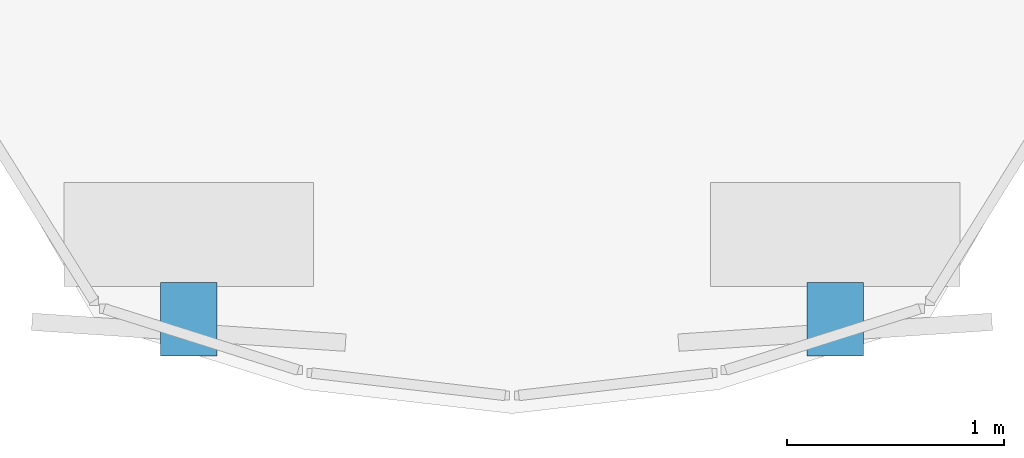
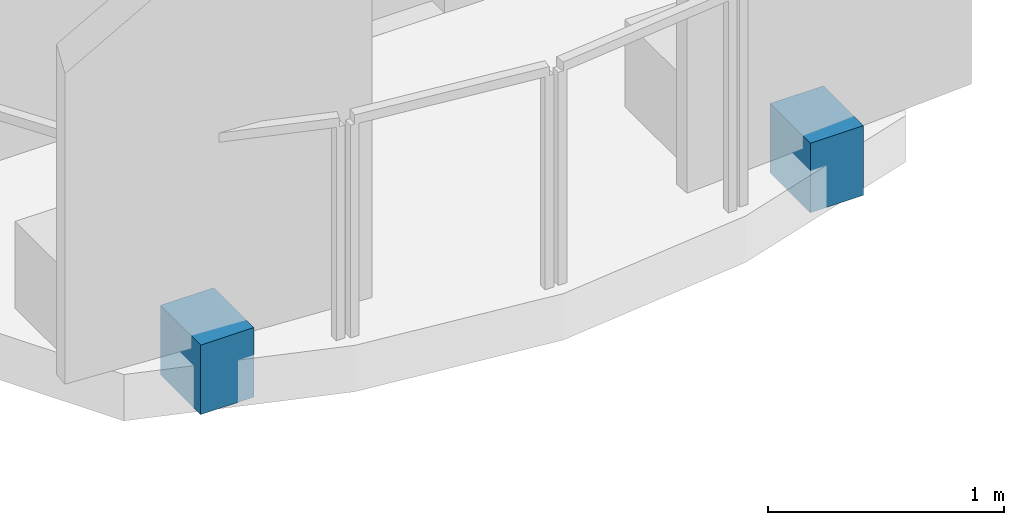
# One storey, part 9 of 13: 2 discrete accessories.
"""IFC4 building model written with IfcOpenShell, lengths in metres."""

from ifc_helpers import new_model, si_unit, direction, frame, origin, origin_2d, place, context, subcontext, project, spatial, rectangle, extrude, material, type_object, element, save


model = new_model("IFC4")

# Units and contexts
model_context = context("Model", 3, precision=1e-05, world=origin(), true_north=direction((0.0, 1.0)))
body_context = subcontext(model_context, "Body", "Model", "MODEL_VIEW")
ifc_project = project(units=[si_unit("LENGTHUNIT", "METRE"), si_unit("AREAUNIT", "SQUARE_METRE"), si_unit("VOLUMEUNIT", "CUBIC_METRE"), si_unit("PLANEANGLEUNIT", "RADIAN"), si_unit("MASSUNIT", "GRAM", prefix="KILO")], contexts=[model_context])

# Site, building, storey
site_placement = place(None, origin())
site = spatial("IfcSite", under=ifc_project, at=site_placement, CompositionType="ELEMENT")
building_placement = place(site_placement, origin())
building = spatial("IfcBuilding", under=site, at=building_placement, Name="Caeloran Harvest Quay", CompositionType="ELEMENT")
storey_placement = place(building_placement, frame((0.0, 0.0, 170.64990234375)))
storey = spatial("IfcBuildingStorey", under=building, at=storey_placement, Name="L40", CompositionType="ELEMENT", Elevation=170.64990234375)

# Discrete accessories
ifc_material = material(Name="Stainless Steel Grade 316L", Category="steel")
discrete_accessory_type = type_object("IfcDiscreteAccessoryType", Name="BRACKET-SCREEN-SS", PredefinedType="BRACKET", material=ifc_material)
for number, where, z_axis, x_axis, name in (
    (1, (39.44921875, 0.888671875, -0.2197265625), (0.0, 0.0, 1.0), (1.0, 0.0, 0.0), "L40 Balcony Screen Support Bracket 1"),
    (2, (36.4658203125, 0.888671875, -0.2197265625), (0.0, 0.0, 1.0), (1.0, 0.0, 0.0), "L40 Balcony Screen Support Bracket 2"),
):
    element("IfcDiscreteAccessory", number, at=place(storey_placement, frame(where, z_axis=z_axis, x_axis=x_axis)), inside=storey, type_object=discrete_accessory_type, Name=name, PredefinedType="BRACKET", context=body_context, shape_type="SweptSolid", body=[
        extrude(rectangle(XDim=0.260009765625, YDim=0.340087890625, at=origin_2d()), origin(), (0.0, 0.0, 1.0), 0.360107421875),
    ])

save(model, "model.ifc")
